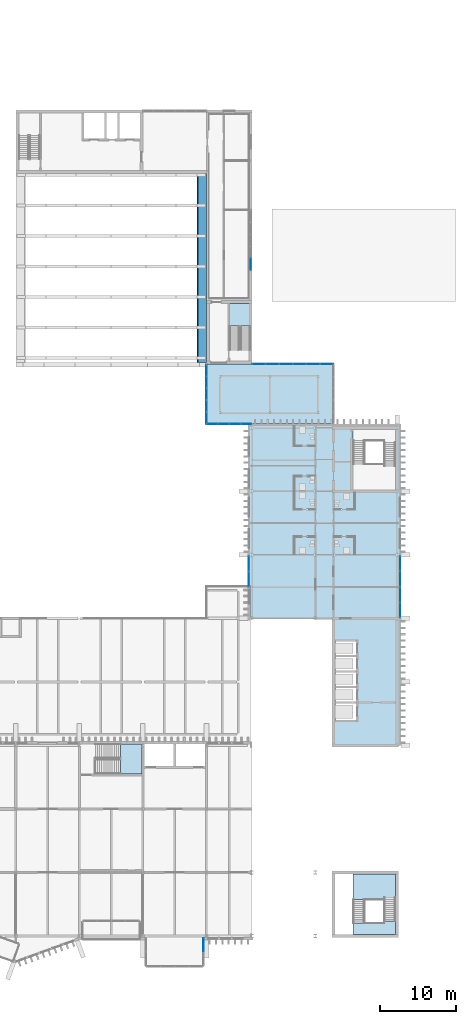
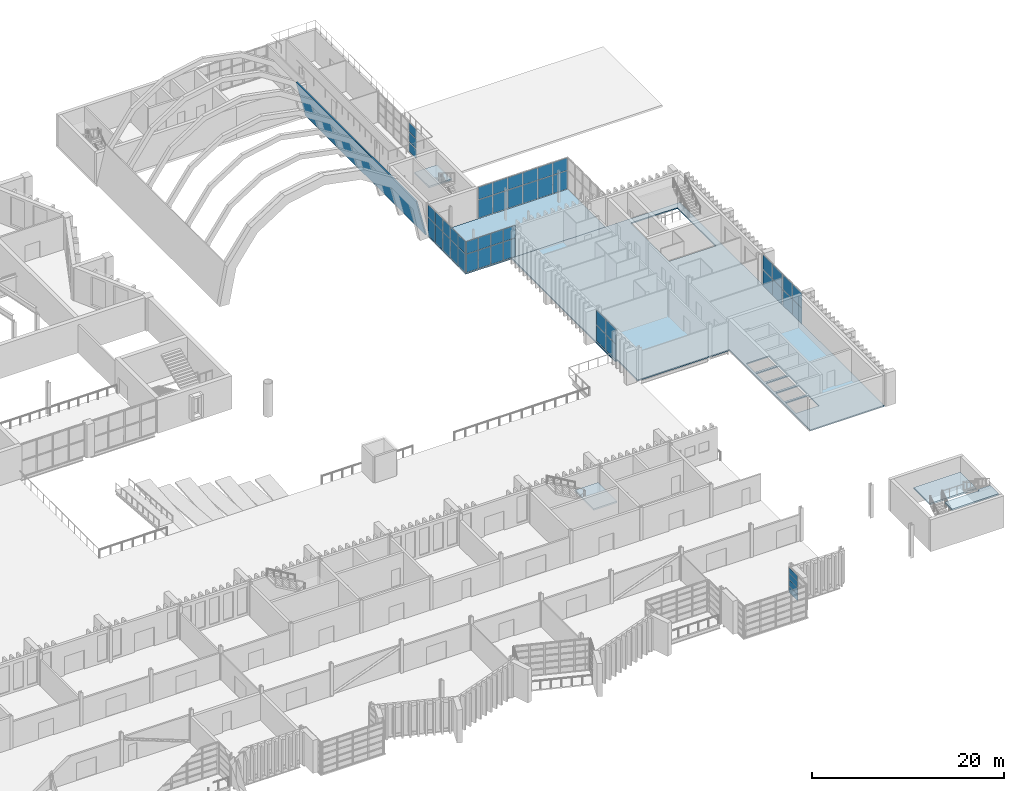
# One storey, part 54 of 96: 49 plates, 7 slabs, 11 elements without a shape of their own.
"""IFC4 building model written with IfcOpenShell, lengths in metres."""

import ifcopenshell
import ifcopenshell.guid

model = None  # the IFC model being written
_history = None  # IfcOwnerHistory: only IFC2X3 demands one
_inside = {}  # id of a spatial element -> (the spatial element, [elements in it])
_under = {}  # id of a project, library or spatial element -> (it, [spatial elements below it])
_declared = {}  # id of a project -> (the project, [libraries it declares])
_typed = {}  # id of a type object -> (the type object, [elements of that type])
_made_of = {}  # id of a material, layer set ... -> (it, [elements and type objects made of it])


def new_model(schema):
    """Start an empty IFC model of exactly this schema.

    Asked for "IFC4X3", IfcOpenShell would pick the latest addendum, in which some entities
    have other attributes; the version numbers below select the first issue.
    IFC2X3 requires an IfcOwnerHistory on every rooted entity: one is made here for all.
    """
    global model, _history
    if schema == "IFC4X3":
        model = ifcopenshell.file(schema_version=(4, 3, 0, 0))
    else:
        model = ifcopenshell.file(schema=schema)
    _inside.clear()
    _under.clear()
    _declared.clear()
    _typed.clear()
    _made_of.clear()
    _history = None
    if model.schema == "IFC2X3":
        org = make("IfcOrganization", Name="unknown")
        user = make(
            "IfcPersonAndOrganization",
            ThePerson=make("IfcPerson", FamilyName="unknown"),
            TheOrganization=org,
        )
        app = make(
            "IfcApplication",
            ApplicationDeveloper=org,
            Version="unknown",
            ApplicationFullName="unknown",
            ApplicationIdentifier="unknown",
        )
        _history = make(
            "IfcOwnerHistory",
            OwningUser=user,
            OwningApplication=app,
            ChangeAction="ADDED",
            CreationDate=0,
        )
    return model


def make(cls, **values):
    """One entity of the class cls with the attributes given. An attribute that is None is left unset."""
    return model.create_entity(
        cls, **{name: value for name, value in values.items() if value is not None}
    )


def rooted(cls, **values):
    """An entity with a GlobalId (a new one), such as an element, a storey or a relation."""
    return make(cls, GlobalId=ifcopenshell.guid.new(), OwnerHistory=_history, **values)


def si_unit(unit_type, name, prefix=None):
    """IfcSIUnit, for example si_unit("LENGTHUNIT", "METRE", prefix="MILLI")."""
    return make("IfcSIUnit", UnitType=unit_type, Prefix=prefix, Name=name)


def assignment(units):
    """IfcUnitAssignment: the units of a project."""
    return None if units is None else make("IfcUnitAssignment", Units=units)


def point(xyz):
    """IfcCartesianPoint."""
    return None if xyz is None else make("IfcCartesianPoint", Coordinates=xyz)


def direction(xyz):
    """IfcDirection."""
    return None if xyz is None else make("IfcDirection", DirectionRatios=xyz)


def frame(location, z_axis=None, x_axis=None):
    """IfcAxis2Placement3D, a coordinate frame: its origin and axes. An axis left out is left unset."""
    return make(
        "IfcAxis2Placement3D",
        Location=point(location),
        Axis=direction(z_axis),
        RefDirection=direction(x_axis),
    )


def frame_2d(location, x_axis=None):
    """IfcAxis2Placement2D, a coordinate frame in the plane: its origin and x axis."""
    return make(
        "IfcAxis2Placement2D", Location=point(location), RefDirection=direction(x_axis)
    )


def origin():
    """The frame at (0, 0, 0) with its axes left unset."""
    return frame((0.0, 0.0, 0.0))


def origin_2d():
    """The frame at (0, 0) in the plane with its x axis left unset."""
    return frame_2d((0.0, 0.0))


def place(relative_to, where):
    """IfcLocalPlacement: puts the frame where relative to a parent placement (None: the world)."""
    return make(
        "IfcLocalPlacement", PlacementRelTo=relative_to, RelativePlacement=where
    )


def context(
    kind, dimensions, precision=None, world=None, true_north=None, identifier=None
):
    """IfcGeometricRepresentationContext, for example the 3D "Model" context."""
    return make(
        "IfcGeometricRepresentationContext",
        ContextIdentifier=identifier,
        ContextType=kind,
        CoordinateSpaceDimension=dimensions,
        Precision=precision,
        WorldCoordinateSystem=world,
        TrueNorth=true_north,
    )


def subcontext(parent, identifier, kind, view, scale=None):
    """IfcGeometricRepresentationSubContext, for example "Body" below "Model"."""
    return make(
        "IfcGeometricRepresentationSubContext",
        ContextIdentifier=identifier,
        ContextType=kind,
        ParentContext=parent,
        TargetScale=scale,
        TargetView=view,
    )


def project(units=None, contexts=None):
    """IfcProject with its units and contexts."""
    return rooted(
        "IfcProject",
        Name="project",
        RepresentationContexts=contexts,
        UnitsInContext=assignment(units),
    )


def spatial(cls, under=None, at=None, **own):
    """A site, building, storey or space (cls), placed at a placement, below another one or the project."""
    s = rooted(cls, ObjectPlacement=at, **own)
    if under is not None:
        _under.setdefault(under.id(), (under, []))[1].append(s)
    return s


def polyline(points):
    """IfcPolyline through the points."""
    return make("IfcPolyline", Points=[point(p) for p in points])


def profile(cls, at=None, kind="AREA", **sizes):
    """A parametric profile (cls). Its sizes go by their IFC names, for example OverallWidth=200.0."""
    return make(cls, ProfileType=kind, Position=at, **sizes)


def rectangle(**sizes):
    """IfcRectangleProfileDef."""
    return profile("IfcRectangleProfileDef", **sizes)


def outline(outer, holes=None, kind="AREA"):
    """IfcArbitraryClosedProfileDef: a profile drawn as a closed curve; with holes, ...WithVoids."""
    if holes is None:
        return make("IfcArbitraryClosedProfileDef", ProfileType=kind, OuterCurve=outer)
    return make(
        "IfcArbitraryProfileDefWithVoids",
        ProfileType=kind,
        OuterCurve=outer,
        InnerCurves=holes,
    )


def extrude(swept, where, along, depth):
    """IfcExtrudedAreaSolid: the profile swept, set in the frame where, extruded along a direction by depth."""
    return make(
        "IfcExtrudedAreaSolid",
        SweptArea=swept,
        Position=where,
        ExtrudedDirection=direction(along),
        Depth=depth,
    )


def shape(context_of_items, identifier, shape_type, items):
    """IfcShapeRepresentation: the items that make up one representation, for example the "Body"."""
    return make(
        "IfcShapeRepresentation",
        ContextOfItems=context_of_items,
        RepresentationIdentifier=identifier,
        RepresentationType=shape_type,
        Items=items,
    )


def material(Name=None, Category=None):
    """IfcMaterial."""
    return make("IfcMaterial", Name=Name, Category=Category)


def layer(
    of_material, thickness, ventilated=None, Name=None, Category=None, Priority=None
):
    """IfcMaterialLayer: one layer of a wall or slab, of a material (None: an air gap)."""
    return make(
        "IfcMaterialLayer",
        Material=of_material,
        LayerThickness=thickness,
        IsVentilated=ventilated,
        Name=Name,
        Category=Category,
        Priority=Priority,
    )


def layer_set(layers, Name=None):
    """IfcMaterialLayerSet."""
    return make("IfcMaterialLayerSet", MaterialLayers=layers, LayerSetName=Name)


def made_of(thing, what):
    """Note that an element or type object is made of a material, layer set ...; save() writes the relation."""
    if what is not None:
        _made_of.setdefault(what.id(), (what, []))[1].append(thing)
    return thing


def type_object(cls, material=None, **own):
    """A type object (cls), such as IfcWallType, which elements share."""
    return made_of(rooted(cls, **own), material)


def element(
    cls,
    number,
    at=None,
    inside=None,
    cuts=None,
    type_object=None,
    material=None,
    context=None,
    identifier="Body",
    shape_type=None,
    held_by="IfcProductDefinitionShape",
    body=None,
    shapes=None,
    **own,
):
    """One element of the class cls, such as IfcWall. Its Tag is "e" and its number.

    at: its placement. inside: the storey or other place that contains it. cuts: it is an
    opening in that element (IfcRelVoidsElement). A single representation is given by context,
    identifier, shape_type and body (its items); several are given by shapes. held_by: the class
    of the entity that holds the representations. save() writes the other relations.
    """
    e = rooted(cls, Tag="e%d" % number, ObjectPlacement=at, **own)
    if body is not None:
        shapes = [shape(context, identifier, shape_type, body)]
    if shapes is not None:
        e.Representation = make(held_by, Representations=shapes)
    if inside is not None:
        _inside.setdefault(inside.id(), (inside, []))[1].append(e)
    if cuts is not None:
        rooted(
            "IfcRelVoidsElement", RelatingBuildingElement=cuts, RelatedOpeningElement=e
        )
    if type_object is not None:
        _typed.setdefault(type_object.id(), (type_object, []))[1].append(e)
    return made_of(e, material)


def aggregate(whole, parts):
    """IfcRelAggregates: a whole, such as a stair, and the parts it consists of."""
    return rooted("IfcRelAggregates", RelatingObject=whole, RelatedObjects=parts)


def save(model, path):
    """Write the relations noted so far, then the file.

    IfcRelAggregates (storeys below a building ...), IfcRelContainedInSpatialStructure (elements
    in a storey), IfcRelDefinesByType, IfcRelAssociatesMaterial and IfcRelDeclares: one each for
    every whole, place, type object, material and project.
    """
    for whole, parts in _under.values():
        aggregate(whole, parts)
    for where, things in _inside.values():
        rooted(
            "IfcRelContainedInSpatialStructure",
            RelatedElements=things,
            RelatingStructure=where,
        )
    for kind, things in _typed.values():
        rooted("IfcRelDefinesByType", RelatedObjects=things, RelatingType=kind)
    for what, things in _made_of.values():
        rooted("IfcRelAssociatesMaterial", RelatedObjects=things, RelatingMaterial=what)
    for by, libraries in _declared.values():
        rooted("IfcRelDeclares", RelatingContext=by, RelatedDefinitions=libraries)
    model.write(path)


model = new_model("IFC4")

# Units and contexts
model_context = context("Model", 3, precision=1e-05, world=origin(), true_north=direction((0.0, 1.0)))
body_context = subcontext(model_context, "Body", "Model", "MODEL_VIEW")
ifc_project = project(units=[si_unit("LENGTHUNIT", "METRE"), si_unit("AREAUNIT", "SQUARE_METRE"), si_unit("VOLUMEUNIT", "CUBIC_METRE"), si_unit("PLANEANGLEUNIT", "RADIAN"), si_unit("MASSUNIT", "GRAM", prefix="KILO")], contexts=[model_context])

# Site, building, storey
site_placement = place(None, origin())
site = spatial("IfcSite", under=ifc_project, at=site_placement, CompositionType="ELEMENT")
building_placement = place(site_placement, origin())
building = spatial("IfcBuilding", under=site, at=building_placement, Name="Cresset Court Congress Hotel", CompositionType="ELEMENT")
storey_placement = place(building_placement, frame((0.0, 0.0, 6.0)))
storey = spatial("IfcBuildingStorey", under=building, at=storey_placement, Name="L01", CompositionType="ELEMENT", Elevation=6.0)

# Curtain wall, plates
ifc_material_1 = material(Name="Aluminium frame with double glazing", Category="aluminium")
ifc_layer_1 = layer(ifc_material_1, 0.199951171875)
ifc_layer_set_1 = layer_set([ifc_layer_1], Name="Glazed box curtain wall 1680 module")
curtain_wall_type_1 = type_object("IfcCurtainWallType", Name="Glazed box curtain wall 1680 module", PredefinedType="NOTDEFINED", material=ifc_layer_set_1)
curtain_wall_1_placement = place(storey_placement, origin())
curtain_wall_1 = element("IfcCurtainWall", 1, at=curtain_wall_1_placement, inside=storey, type_object=curtain_wall_type_1, Name="Glazed box S0121 side", PredefinedType="NOTDEFINED")
ifc_material_2 = material(Name="Toughened double glazing", Category="glass")
ifc_layer_2 = layer(ifc_material_2, 0.028076171875)
ifc_layer_set_2 = layer_set([ifc_layer_2], Name="Box glass panel 28")
plate_type_1 = type_object("IfcPlateType", Name="Box glass panel 28", PredefinedType="CURTAIN_PANEL", material=ifc_layer_set_2)
plate_1_placement = place(storey_placement, frame((150.800048828125, -1.139892578125, 0.860107421875), z_axis=(0.0, 0.0, 1.0), x_axis=(0.0, -1.0, 0.0)))
plate_1 = element("IfcPlate", 2, at=plate_1_placement, type_object=plate_type_1, Name="B-X1 panel 1.2", PredefinedType="CURTAIN_PANEL", context=body_context, shape_type="SweptSolid", body=[
    extrude(rectangle(XDim=1.760009765625, YDim=0.028076171875, at=origin_2d()), origin(), (0.0, 0.0, 1.0), 0.77001953125),
])
plate_2_placement = place(storey_placement, frame((150.800048828125, -1.139892578125, 1.68994140625), z_axis=(0.0, 0.0, 1.0), x_axis=(0.0, -1.0, 0.0)))
plate_2 = element("IfcPlate", 3, at=plate_2_placement, type_object=plate_type_1, Name="B-X1 panel 1.3", PredefinedType="CURTAIN_PANEL", context=body_context, shape_type="SweptSolid", body=[
    extrude(rectangle(XDim=1.760009765625, YDim=0.028076171875, at=origin_2d()), origin(), (0.0, 0.0, 1.0), 0.77001953125),
])
plate_3_placement = place(storey_placement, frame((150.800048828125, -1.139892578125, 2.52001953125), z_axis=(0.0, 0.0, 1.0), x_axis=(0.0, -1.0, 0.0)))
plate_3 = element("IfcPlate", 4, at=plate_3_placement, type_object=plate_type_1, Name="B-X1 panel 1.4", PredefinedType="CURTAIN_PANEL", context=body_context, shape_type="SweptSolid", body=[
    extrude(rectangle(XDim=1.760009765625, YDim=0.028076171875, at=origin_2d()), origin(), (0.0, 0.0, 1.0), 0.77001953125),
])
ifc_material_3 = material(Name="Insulated aluminium spandrel panel", Category="aluminium")
ifc_layer_3 = layer(ifc_material_3, 0.0400390625)
ifc_layer_set_3 = layer_set([ifc_layer_3], Name="Box spandrel panel 40")
plate_type_2 = type_object("IfcPlateType", Name="Box spandrel panel 40", PredefinedType="CURTAIN_PANEL", material=ifc_layer_set_3)
plate_4_placement = place(storey_placement, frame((150.800048828125, -1.139892578125, 3.35009765625), z_axis=(0.0, 0.0, 1.0), x_axis=(0.0, -1.0, 0.0)))
plate_4 = element("IfcPlate", 5, at=plate_4_placement, type_object=plate_type_2, Name="B-X1 spandrel panel 1.5", PredefinedType="CURTAIN_PANEL", context=body_context, shape_type="SweptSolid", body=[
    extrude(rectangle(XDim=1.760009765625, YDim=0.0400390625, at=origin_2d()), origin(), (0.0, 0.0, 1.0), 0.639892578125),
])
aggregate(curtain_wall_1, [plate_1, plate_2, plate_3, plate_4])

# Slabs
ifc_material_4 = material(Name="Concrete C35", Category="concrete")
ifc_layer_4 = layer(ifc_material_4, 0.14990234375)
ifc_layer_set_4 = layer_set([ifc_layer_4], Name="Composite floor slab 150")
slab_type_1 = type_object("IfcSlabType", Name="Composite floor slab 150", PredefinedType="FLOOR", material=ifc_layer_set_4)
slab_1_placement = place(storey_placement, frame((0.0, 0.0, -0.14990234375)))
element("IfcSlab", 6, at=slab_1_placement, inside=storey, type_object=slab_type_1, Name="A.slab.L01", PredefinedType="FLOOR", context=body_context, shape_type="SweptSolid", body=[
    extrude(outline(polyline([(157.0, 42.0), (168.0, 42.0), (168.0, 25.199951171875), (176.89990234375, 25.199951171875), (176.89990234375, 67.699951171875), (156.699951171875, 67.699951171875), (156.699951171875, 46.199951171875), (157.0, 46.199951171875), (157.0, 42.0)]), holes=[polyline([(170.60009765625, 59.0), (176.199951171875, 59.0), (176.199951171875, 67.0), (170.60009765625, 67.0), (170.60009765625, 59.0)]), polyline([(168.25, 28.550048828125), (171.0, 28.550048828125), (171.0, 30.75), (168.25, 30.75), (168.25, 28.550048828125)]), polyline([(168.25, 31.0), (171.0, 31.0), (171.0, 32.800048828125), (168.25, 32.800048828125), (168.25, 31.0)]), polyline([(168.25, 33.050048828125), (171.0, 33.050048828125), (171.0, 34.85009765625), (168.25, 34.85009765625), (168.25, 33.050048828125)]), polyline([(168.25, 35.10009765625), (171.0, 35.10009765625), (171.0, 36.89990234375), (168.25, 36.89990234375), (168.25, 35.10009765625)]), polyline([(168.25, 37.14990234375), (171.0, 37.14990234375), (171.0, 38.949951171875), (168.25, 38.949951171875), (168.25, 37.14990234375)])]), origin(), (0.0, 0.0, 1.0), 0.14990234375),
])
ifc_material_5 = material(Name="Concrete C50", Category="concrete")
ifc_layer_5 = layer(ifc_material_5, 0.14990234375)
ifc_layer_set_5 = layer_set([ifc_layer_5], Name="Concrete vault shell 150 C50")
slab_type_2 = type_object("IfcSlabType", Name="Concrete vault shell 150 C50", PredefinedType="ROOF", material=ifc_layer_set_5)
slab_2_placement = place(storey_placement, frame((150.0703125, 75.800048828125, 4.635498046875), z_axis=(0.971567151534, 0.0, 0.236764165489), x_axis=(0.236764165489, 0.0, -0.971567151534)))
element("IfcSlab", 7, at=slab_2_placement, inside=storey, type_object=slab_type_2, Name="Vault shell facet 8", PredefinedType="ROOF", context=body_context, shape_type="SweptSolid", body=[
    extrude(outline(polyline([(0.0, 0.0), (4.771155590795321, 0.0), (4.771155590795321, 25.0), (0.0, 25.0), (0.0, 0.0)])), origin(), (0.0, 0.0, -1.0), 0.14990234375),
])

# Curtain wall, plates
ifc_material_6 = material(Name="Aluminium frame with insulated glass", Category="aluminium")
curtain_wall_type_2 = type_object("IfcCurtainWallType", Name="Curtain wall module 1600", PredefinedType="NOTDEFINED", material=ifc_material_6)
curtain_wall_2_placement = place(storey_placement, origin())
curtain_wall_2 = element("IfcCurtainWall", 8, at=curtain_wall_2_placement, inside=storey, type_object=curtain_wall_type_2, Name="Curtain wall E", PredefinedType="NOTDEFINED")
ifc_material_7 = material(Name="Laminated glass", Category="glass")
ifc_layer_6 = layer(ifc_material_7, 0.028076171875)
ifc_layer_set_6 = layer_set([ifc_layer_6], Name="Curtain wall glass panel 28")
plate_type_3 = type_object("IfcPlateType", Name="Curtain wall glass panel 28", PredefinedType="CURTAIN_PANEL", material=ifc_layer_set_6)
plate_5_placement = place(storey_placement, frame((157.050048828125, 88.81494140625, 0.1201171875), z_axis=(0.0, 0.0, 1.0), x_axis=(0.0, 1.0, 0.0)))
plate_5 = element("IfcPlate", 9, at=plate_5_placement, type_object=plate_type_3, Name="D-X3 panel 1.1", PredefinedType="CURTAIN_PANEL", context=body_context, shape_type="SweptSolid", body=[
    extrude(rectangle(XDim=1.510009765625, YDim=0.028076171875, at=origin_2d()), origin(), (0.0, 0.0, 1.0), 1.153076171875),
])
plate_6_placement = place(storey_placement, frame((157.050048828125, 88.81494140625, 1.39306640625), z_axis=(0.0, 0.0, 1.0), x_axis=(0.0, 1.0, 0.0)))
plate_6 = element("IfcPlate", 10, at=plate_6_placement, type_object=plate_type_3, Name="D-X3 panel 1.2", PredefinedType="CURTAIN_PANEL", context=body_context, shape_type="SweptSolid", body=[
    extrude(rectangle(XDim=1.510009765625, YDim=0.028076171875, at=origin_2d()), origin(), (0.0, 0.0, 1.0), 1.173095703125),
])
plate_7_placement = place(storey_placement, frame((157.050048828125, 88.81494140625, 2.68603515625), z_axis=(0.0, 0.0, 1.0), x_axis=(0.0, 1.0, 0.0)))
plate_7 = element("IfcPlate", 11, at=plate_7_placement, type_object=plate_type_3, Name="D-X3 panel 1.3", PredefinedType="CURTAIN_PANEL", context=body_context, shape_type="SweptSolid", body=[
    extrude(rectangle(XDim=1.510009765625, YDim=0.028076171875, at=origin_2d()), origin(), (0.0, 0.0, 1.0), 1.114013671875),
])
aggregate(curtain_wall_2, [plate_5, plate_6, plate_7])

ifc_material_8 = material(Name="Aluminium and glass", Category="aluminium")
curtain_wall_type_3 = type_object("IfcCurtainWallType", Name="Curtain wall 1680 module", PredefinedType="NOTDEFINED", material=ifc_material_8)
curtain_wall_3_placement = place(storey_placement, origin())
curtain_wall_3 = element("IfcCurtainWall", 12, at=curtain_wall_3_placement, inside=storey, type_object=curtain_wall_type_3, Name="Lounge glazing west", PredefinedType="NOTDEFINED")
ifc_material_9 = material(Name="Laminated glass", Category="glass")
ifc_layer_7 = layer(ifc_material_9, 0.0439453125)
ifc_layer_set_7 = layer_set([ifc_layer_7], Name="Curtain wall laminated glass panel 44")
plate_type_4 = type_object("IfcPlateType", Name="Curtain wall laminated glass panel 44", PredefinedType="CURTAIN_PANEL", material=ifc_layer_set_7)
plate_8_placement = place(storey_placement, frame((156.800048828125, 47.1650390625, 0.06005859375), z_axis=(0.0, 0.0, 1.0), x_axis=(0.0, 1.0, 0.0)))
plate_8 = element("IfcPlate", 13, at=plate_8_placement, type_object=plate_type_4, Name="A-X1 panel 1.1", PredefinedType="CURTAIN_PANEL", context=body_context, shape_type="SweptSolid", body=[
    extrude(rectangle(XDim=2.010009765625, YDim=0.028076171875, at=origin_2d()), origin(), (0.0, 0.0, 1.0), 2.010009765625),
])
plate_9_placement = place(storey_placement, frame((156.800048828125, 47.1650390625, 2.1298828125), z_axis=(0.0, 0.0, 1.0), x_axis=(0.0, 1.0, 0.0)))
plate_9 = element("IfcPlate", 14, at=plate_9_placement, type_object=plate_type_4, Name="A-X1 panel 1.2", PredefinedType="CURTAIN_PANEL", context=body_context, shape_type="SweptSolid", body=[
    extrude(rectangle(XDim=2.010009765625, YDim=0.028076171875, at=origin_2d()), origin(), (0.0, 0.0, 1.0), 1.860107421875),
])
plate_10_placement = place(storey_placement, frame((156.800048828125, 49.235107421875, 0.06005859375), z_axis=(0.0, 0.0, 1.0), x_axis=(0.0, 1.0, 0.0)))
plate_10 = element("IfcPlate", 15, at=plate_10_placement, type_object=plate_type_4, Name="A-X1 panel 2.1", PredefinedType="CURTAIN_PANEL", context=body_context, shape_type="SweptSolid", body=[
    extrude(rectangle(XDim=2.010009765625, YDim=0.028076171875, at=origin_2d()), origin(), (0.0, 0.0, 1.0), 2.010009765625),
])
plate_11_placement = place(storey_placement, frame((156.800048828125, 49.235107421875, 2.1298828125), z_axis=(0.0, 0.0, 1.0), x_axis=(0.0, 1.0, 0.0)))
plate_11 = element("IfcPlate", 16, at=plate_11_placement, type_object=plate_type_4, Name="A-X1 panel 2.2", PredefinedType="CURTAIN_PANEL", context=body_context, shape_type="SweptSolid", body=[
    extrude(rectangle(XDim=2.010009765625, YDim=0.028076171875, at=origin_2d()), origin(), (0.0, 0.0, 1.0), 1.860107421875),
])
aggregate(curtain_wall_3, [plate_8, plate_9, plate_10, plate_11])

curtain_wall_4_placement = place(storey_placement, origin())
curtain_wall_4 = element("IfcCurtainWall", 17, at=curtain_wall_4_placement, inside=storey, type_object=curtain_wall_type_3, Name="Arrival lobby glazing east", PredefinedType="NOTDEFINED")
plate_12_placement = place(storey_placement, frame((176.800048828125, 43.114990234375, 0.06005859375), z_axis=(0.0, 0.0, 1.0), x_axis=(0.0, 1.0, 0.0)))
plate_12 = element("IfcPlate", 18, at=plate_12_placement, type_object=plate_type_4, Name="A-X1 panel 1.1", PredefinedType="CURTAIN_PANEL", context=body_context, shape_type="SweptSolid", body=[
    extrude(rectangle(XDim=1.909912109375, YDim=0.028076171875, at=origin_2d()), origin(), (0.0, 0.0, 1.0), 2.010009765625),
])
plate_13_placement = place(storey_placement, frame((176.800048828125, 43.114990234375, 2.1298828125), z_axis=(0.0, 0.0, 1.0), x_axis=(0.0, 1.0, 0.0)))
plate_13 = element("IfcPlate", 19, at=plate_13_placement, type_object=plate_type_4, Name="A-X1 panel 1.2", PredefinedType="CURTAIN_PANEL", context=body_context, shape_type="SweptSolid", body=[
    extrude(rectangle(XDim=1.909912109375, YDim=0.028076171875, at=origin_2d()), origin(), (0.0, 0.0, 1.0), 1.860107421875),
])
plate_14_placement = place(storey_placement, frame((176.800048828125, 45.0849609375, 0.06005859375), z_axis=(0.0, 0.0, 1.0), x_axis=(0.0, 1.0, 0.0)))
plate_14 = element("IfcPlate", 20, at=plate_14_placement, type_object=plate_type_4, Name="A-X1 panel 2.1", PredefinedType="CURTAIN_PANEL", context=body_context, shape_type="SweptSolid", body=[
    extrude(rectangle(XDim=1.909912109375, YDim=0.028076171875, at=origin_2d()), origin(), (0.0, 0.0, 1.0), 2.010009765625),
])
plate_15_placement = place(storey_placement, frame((176.800048828125, 45.0849609375, 2.1298828125), z_axis=(0.0, 0.0, 1.0), x_axis=(0.0, 1.0, 0.0)))
plate_15 = element("IfcPlate", 21, at=plate_15_placement, type_object=plate_type_4, Name="A-X1 panel 2.2", PredefinedType="CURTAIN_PANEL", context=body_context, shape_type="SweptSolid", body=[
    extrude(rectangle(XDim=1.909912109375, YDim=0.028076171875, at=origin_2d()), origin(), (0.0, 0.0, 1.0), 1.860107421875),
])
aggregate(curtain_wall_4, [plate_12, plate_13, plate_14, plate_15])

curtain_wall_5_placement = place(storey_placement, origin())
curtain_wall_5 = element("IfcCurtainWall", 22, at=curtain_wall_5_placement, inside=storey, type_object=curtain_wall_type_3, Name="Health club glazing east", PredefinedType="NOTDEFINED")
plate_16_placement = place(storey_placement, frame((176.800048828125, 47.239990234375, 0.06005859375), z_axis=(0.0, 0.0, 1.0), x_axis=(0.0, 1.0, 0.0)))
plate_16 = element("IfcPlate", 23, at=plate_16_placement, type_object=plate_type_4, Name="A-X1 panel 1.1", PredefinedType="CURTAIN_PANEL", context=body_context, shape_type="SweptSolid", body=[
    extrude(rectangle(XDim=1.9599609375, YDim=0.028076171875, at=origin_2d()), origin(), (0.0, 0.0, 1.0), 2.010009765625),
])
plate_17_placement = place(storey_placement, frame((176.800048828125, 47.239990234375, 2.1298828125), z_axis=(0.0, 0.0, 1.0), x_axis=(0.0, 1.0, 0.0)))
plate_17 = element("IfcPlate", 24, at=plate_17_placement, type_object=plate_type_4, Name="A-X1 panel 1.2", PredefinedType="CURTAIN_PANEL", context=body_context, shape_type="SweptSolid", body=[
    extrude(rectangle(XDim=1.9599609375, YDim=0.028076171875, at=origin_2d()), origin(), (0.0, 0.0, 1.0), 1.860107421875),
])
plate_18_placement = place(storey_placement, frame((176.800048828125, 49.260009765625, 0.06005859375), z_axis=(0.0, 0.0, 1.0), x_axis=(0.0, 1.0, 0.0)))
plate_18 = element("IfcPlate", 25, at=plate_18_placement, type_object=plate_type_4, Name="A-X1 panel 2.1", PredefinedType="CURTAIN_PANEL", context=body_context, shape_type="SweptSolid", body=[
    extrude(rectangle(XDim=1.9599609375, YDim=0.028076171875, at=origin_2d()), origin(), (0.0, 0.0, 1.0), 2.010009765625),
])
plate_19_placement = place(storey_placement, frame((176.800048828125, 49.260009765625, 2.1298828125), z_axis=(0.0, 0.0, 1.0), x_axis=(0.0, 1.0, 0.0)))
plate_19 = element("IfcPlate", 26, at=plate_19_placement, type_object=plate_type_4, Name="A-X1 panel 2.2", PredefinedType="CURTAIN_PANEL", context=body_context, shape_type="SweptSolid", body=[
    extrude(rectangle(XDim=1.9599609375, YDim=0.028076171875, at=origin_2d()), origin(), (0.0, 0.0, 1.0), 1.860107421875),
])
aggregate(curtain_wall_5, [plate_16, plate_17, plate_18, plate_19])

# Slab
ifc_material_10 = material(Name="Concrete C35", Category="concrete")
ifc_layer_8 = layer(ifc_material_10, 0.14990234375)
ifc_layer_set_8 = layer_set([ifc_layer_8], Name="Link floor slab 150")
slab_type_3 = type_object("IfcSlabType", Name="Link floor slab 150", PredefinedType="FLOOR", material=ifc_layer_set_8)
slab_3_placement = place(storey_placement, frame((0.0, 0.0, -0.14990234375)))
element("IfcSlab", 27, at=slab_3_placement, inside=storey, type_object=slab_type_3, Name="S.link.L01.slab", PredefinedType="FLOOR", context=body_context, shape_type="SweptSolid", body=[
    extrude(outline(polyline([(151.199951171875, 67.699951171875), (168.0, 67.699951171875), (168.0, 75.60009765625), (151.199951171875, 75.60009765625), (151.199951171875, 67.699951171875)])), origin(), (0.0, 0.0, 1.0), 0.14990234375),
])

# Curtain wall, plates
ifc_material_11 = material(Name="Aluminium and glass", Category="aluminium")
ifc_layer_9 = layer(ifc_material_11, 0.199951171875)
ifc_layer_set_9 = layer_set([ifc_layer_9], Name="Link curtain wall")
curtain_wall_type_4 = type_object("IfcCurtainWallType", Name="Link curtain wall", PredefinedType="NOTDEFINED", material=ifc_layer_set_9)
curtain_wall_6_placement = place(storey_placement, origin())
curtain_wall_6 = element("IfcCurtainWall", 28, at=curtain_wall_6_placement, inside=storey, type_object=curtain_wall_type_4, Name="Link curtain wall W", PredefinedType="NOTDEFINED")
ifc_material_12 = material(Name="Laminated glass", Category="glass")
ifc_layer_10 = layer(ifc_material_12, 0.028076171875)
ifc_layer_set_10 = layer_set([ifc_layer_10], Name="Link glass panel 28")
plate_type_5 = type_object("IfcPlateType", Name="Link glass panel 28", PredefinedType="CURTAIN_PANEL", material=ifc_layer_set_10)
plate_20_placement = place(storey_placement, frame((151.199951171875, 68.5048828125, 0.06005859375), z_axis=(0.0, 0.0, 1.0), x_axis=(0.0, 1.0, 0.0)))
plate_20 = element("IfcPlate", 29, at=plate_20_placement, type_object=plate_type_5, Name="S-X1 panel 1.1", PredefinedType="CURTAIN_PANEL", context=body_context, shape_type="SweptSolid", body=[
    extrude(rectangle(XDim=1.489990234375, YDim=0.028076171875, at=origin_2d()), origin(), (0.0, 0.0, 1.0), 2.31005859375),
])
plate_21_placement = place(storey_placement, frame((151.199951171875, 68.5048828125, 2.429931640625), z_axis=(0.0, 0.0, 1.0), x_axis=(0.0, 1.0, 0.0)))
plate_21 = element("IfcPlate", 30, at=plate_21_placement, type_object=plate_type_5, Name="S-X1 panel 1.2", PredefinedType="CURTAIN_PANEL", context=body_context, shape_type="SweptSolid", body=[
    extrude(rectangle(XDim=1.489990234375, YDim=0.028076171875, at=origin_2d()), origin(), (0.0, 0.0, 1.0), 1.56005859375),
])
plate_22_placement = place(storey_placement, frame((151.199951171875, 70.070068359375, 0.06005859375), z_axis=(0.0, 0.0, 1.0), x_axis=(0.0, 1.0, 0.0)))
plate_22 = element("IfcPlate", 31, at=plate_22_placement, type_object=plate_type_5, Name="S-X1 panel 2.1", PredefinedType="CURTAIN_PANEL", context=body_context, shape_type="SweptSolid", body=[
    extrude(rectangle(XDim=1.52001953125, YDim=0.028076171875, at=origin_2d()), origin(), (0.0, 0.0, 1.0), 2.31005859375),
])
plate_23_placement = place(storey_placement, frame((151.199951171875, 70.070068359375, 2.429931640625), z_axis=(0.0, 0.0, 1.0), x_axis=(0.0, 1.0, 0.0)))
plate_23 = element("IfcPlate", 32, at=plate_23_placement, type_object=plate_type_5, Name="S-X1 panel 2.2", PredefinedType="CURTAIN_PANEL", context=body_context, shape_type="SweptSolid", body=[
    extrude(rectangle(XDim=1.52001953125, YDim=0.028076171875, at=origin_2d()), origin(), (0.0, 0.0, 1.0), 1.56005859375),
])
plate_24_placement = place(storey_placement, frame((151.199951171875, 71.64990234375, 0.06005859375), z_axis=(0.0, 0.0, 1.0), x_axis=(0.0, 1.0, 0.0)))
plate_24 = element("IfcPlate", 33, at=plate_24_placement, type_object=plate_type_5, Name="S-X1 panel 3.1", PredefinedType="CURTAIN_PANEL", context=body_context, shape_type="SweptSolid", body=[
    extrude(rectangle(XDim=1.52001953125, YDim=0.028076171875, at=origin_2d()), origin(), (0.0, 0.0, 1.0), 2.31005859375),
])
plate_25_placement = place(storey_placement, frame((151.199951171875, 71.64990234375, 2.429931640625), z_axis=(0.0, 0.0, 1.0), x_axis=(0.0, 1.0, 0.0)))
plate_25 = element("IfcPlate", 34, at=plate_25_placement, type_object=plate_type_5, Name="S-X1 panel 3.2", PredefinedType="CURTAIN_PANEL", context=body_context, shape_type="SweptSolid", body=[
    extrude(rectangle(XDim=1.52001953125, YDim=0.028076171875, at=origin_2d()), origin(), (0.0, 0.0, 1.0), 1.56005859375),
])
plate_26_placement = place(storey_placement, frame((151.199951171875, 73.22998046875, 0.06005859375), z_axis=(0.0, 0.0, 1.0), x_axis=(0.0, 1.0, 0.0)))
plate_26 = element("IfcPlate", 35, at=plate_26_placement, type_object=plate_type_5, Name="S-X1 panel 4.1", PredefinedType="CURTAIN_PANEL", context=body_context, shape_type="SweptSolid", body=[
    extrude(rectangle(XDim=1.52001953125, YDim=0.028076171875, at=origin_2d()), origin(), (0.0, 0.0, 1.0), 2.31005859375),
])
plate_27_placement = place(storey_placement, frame((151.199951171875, 73.22998046875, 2.429931640625), z_axis=(0.0, 0.0, 1.0), x_axis=(0.0, 1.0, 0.0)))
plate_27 = element("IfcPlate", 36, at=plate_27_placement, type_object=plate_type_5, Name="S-X1 panel 4.2", PredefinedType="CURTAIN_PANEL", context=body_context, shape_type="SweptSolid", body=[
    extrude(rectangle(XDim=1.52001953125, YDim=0.028076171875, at=origin_2d()), origin(), (0.0, 0.0, 1.0), 1.56005859375),
])
plate_28_placement = place(storey_placement, frame((151.199951171875, 74.794921875, 0.06005859375), z_axis=(0.0, 0.0, 1.0), x_axis=(0.0, 1.0, 0.0)))
plate_28 = element("IfcPlate", 37, at=plate_28_placement, type_object=plate_type_5, Name="S-X1 panel 5.1", PredefinedType="CURTAIN_PANEL", context=body_context, shape_type="SweptSolid", body=[
    extrude(rectangle(XDim=1.489990234375, YDim=0.028076171875, at=origin_2d()), origin(), (0.0, 0.0, 1.0), 2.31005859375),
])
plate_29_placement = place(storey_placement, frame((151.199951171875, 74.794921875, 2.429931640625), z_axis=(0.0, 0.0, 1.0), x_axis=(0.0, 1.0, 0.0)))
plate_29 = element("IfcPlate", 38, at=plate_29_placement, type_object=plate_type_5, Name="S-X1 panel 5.2", PredefinedType="CURTAIN_PANEL", context=body_context, shape_type="SweptSolid", body=[
    extrude(rectangle(XDim=1.489990234375, YDim=0.028076171875, at=origin_2d()), origin(), (0.0, 0.0, 1.0), 1.56005859375),
])
aggregate(curtain_wall_6, [plate_20, plate_21, plate_22, plate_23, plate_24, plate_25, plate_26, plate_27, plate_28, plate_29])

curtain_wall_7_placement = place(storey_placement, origin())
curtain_wall_7 = element("IfcCurtainWall", 39, at=curtain_wall_7_placement, inside=storey, type_object=curtain_wall_type_4, Name="Link curtain wall N", PredefinedType="NOTDEFINED")
plate_30_placement = place(storey_placement, frame((158.114990234375, 75.60009765625, 0.06005859375), z_axis=(0.0, 0.0, 1.0), x_axis=(1.0, 0.0, 0.0)))
plate_30 = element("IfcPlate", 40, at=plate_30_placement, type_object=plate_type_5, Name="S-X1 panel 1.1", PredefinedType="CURTAIN_PANEL", context=body_context, shape_type="SweptSolid", body=[
    extrude(rectangle(XDim=1.7099609375, YDim=0.028076171875, at=origin_2d()), origin(), (0.0, 0.0, 1.0), 2.31005859375),
])
plate_31_placement = place(storey_placement, frame((158.114990234375, 75.60009765625, 2.429931640625), z_axis=(0.0, 0.0, 1.0), x_axis=(1.0, 0.0, 0.0)))
plate_31 = element("IfcPlate", 41, at=plate_31_placement, type_object=plate_type_5, Name="S-X1 panel 1.2", PredefinedType="CURTAIN_PANEL", context=body_context, shape_type="SweptSolid", body=[
    extrude(rectangle(XDim=1.7099609375, YDim=0.028076171875, at=origin_2d()), origin(), (0.0, 0.0, 1.0), 1.56005859375),
])
plate_32_placement = place(storey_placement, frame((159.89990234375, 75.60009765625, 0.06005859375), z_axis=(0.0, 0.0, 1.0), x_axis=(1.0, 0.0, 0.0)))
plate_32 = element("IfcPlate", 42, at=plate_32_placement, type_object=plate_type_5, Name="S-X1 panel 2.1", PredefinedType="CURTAIN_PANEL", context=body_context, shape_type="SweptSolid", body=[
    extrude(rectangle(XDim=1.739990234375, YDim=0.028076171875, at=origin_2d()), origin(), (0.0, 0.0, 1.0), 2.31005859375),
])
plate_33_placement = place(storey_placement, frame((159.89990234375, 75.60009765625, 2.429931640625), z_axis=(0.0, 0.0, 1.0), x_axis=(1.0, 0.0, 0.0)))
plate_33 = element("IfcPlate", 43, at=plate_33_placement, type_object=plate_type_5, Name="S-X1 panel 2.2", PredefinedType="CURTAIN_PANEL", context=body_context, shape_type="SweptSolid", body=[
    extrude(rectangle(XDim=1.739990234375, YDim=0.028076171875, at=origin_2d()), origin(), (0.0, 0.0, 1.0), 1.56005859375),
])
plate_34_placement = place(storey_placement, frame((161.699951171875, 75.60009765625, 0.06005859375), z_axis=(0.0, 0.0, 1.0), x_axis=(1.0, 0.0, 0.0)))
plate_34 = element("IfcPlate", 44, at=plate_34_placement, type_object=plate_type_5, Name="S-X1 panel 3.1", PredefinedType="CURTAIN_PANEL", context=body_context, shape_type="SweptSolid", body=[
    extrude(rectangle(XDim=1.739990234375, YDim=0.028076171875, at=origin_2d()), origin(), (0.0, 0.0, 1.0), 2.31005859375),
])
plate_35_placement = place(storey_placement, frame((161.699951171875, 75.60009765625, 2.429931640625), z_axis=(0.0, 0.0, 1.0), x_axis=(1.0, 0.0, 0.0)))
plate_35 = element("IfcPlate", 45, at=plate_35_placement, type_object=plate_type_5, Name="S-X1 panel 3.2", PredefinedType="CURTAIN_PANEL", context=body_context, shape_type="SweptSolid", body=[
    extrude(rectangle(XDim=1.739990234375, YDim=0.028076171875, at=origin_2d()), origin(), (0.0, 0.0, 1.0), 1.56005859375),
])
plate_36_placement = place(storey_placement, frame((163.5, 75.60009765625, 0.06005859375), z_axis=(0.0, 0.0, 1.0), x_axis=(1.0, 0.0, 0.0)))
plate_36 = element("IfcPlate", 46, at=plate_36_placement, type_object=plate_type_5, Name="S-X1 panel 4.1", PredefinedType="CURTAIN_PANEL", context=body_context, shape_type="SweptSolid", body=[
    extrude(rectangle(XDim=1.739990234375, YDim=0.028076171875, at=origin_2d()), origin(), (0.0, 0.0, 1.0), 2.31005859375),
])
plate_37_placement = place(storey_placement, frame((163.5, 75.60009765625, 2.429931640625), z_axis=(0.0, 0.0, 1.0), x_axis=(1.0, 0.0, 0.0)))
plate_37 = element("IfcPlate", 47, at=plate_37_placement, type_object=plate_type_5, Name="S-X1 panel 4.2", PredefinedType="CURTAIN_PANEL", context=body_context, shape_type="SweptSolid", body=[
    extrude(rectangle(XDim=1.739990234375, YDim=0.028076171875, at=origin_2d()), origin(), (0.0, 0.0, 1.0), 1.56005859375),
])
plate_38_placement = place(storey_placement, frame((165.300048828125, 75.60009765625, 0.06005859375), z_axis=(0.0, 0.0, 1.0), x_axis=(1.0, 0.0, 0.0)))
plate_38 = element("IfcPlate", 48, at=plate_38_placement, type_object=plate_type_5, Name="S-X1 panel 5.1", PredefinedType="CURTAIN_PANEL", context=body_context, shape_type="SweptSolid", body=[
    extrude(rectangle(XDim=1.739990234375, YDim=0.028076171875, at=origin_2d()), origin(), (0.0, 0.0, 1.0), 2.31005859375),
])
plate_39_placement = place(storey_placement, frame((165.300048828125, 75.60009765625, 2.429931640625), z_axis=(0.0, 0.0, 1.0), x_axis=(1.0, 0.0, 0.0)))
plate_39 = element("IfcPlate", 49, at=plate_39_placement, type_object=plate_type_5, Name="S-X1 panel 5.2", PredefinedType="CURTAIN_PANEL", context=body_context, shape_type="SweptSolid", body=[
    extrude(rectangle(XDim=1.739990234375, YDim=0.028076171875, at=origin_2d()), origin(), (0.0, 0.0, 1.0), 1.56005859375),
])
plate_40_placement = place(storey_placement, frame((167.0849609375, 75.60009765625, 0.06005859375), z_axis=(0.0, 0.0, 1.0), x_axis=(1.0, 0.0, 0.0)))
plate_40 = element("IfcPlate", 50, at=plate_40_placement, type_object=plate_type_5, Name="S-X1 panel 6.1", PredefinedType="CURTAIN_PANEL", context=body_context, shape_type="SweptSolid", body=[
    extrude(rectangle(XDim=1.7099609375, YDim=0.028076171875, at=origin_2d()), origin(), (0.0, 0.0, 1.0), 2.31005859375),
])
plate_41_placement = place(storey_placement, frame((167.0849609375, 75.60009765625, 2.429931640625), z_axis=(0.0, 0.0, 1.0), x_axis=(1.0, 0.0, 0.0)))
plate_41 = element("IfcPlate", 51, at=plate_41_placement, type_object=plate_type_5, Name="S-X1 panel 6.2", PredefinedType="CURTAIN_PANEL", context=body_context, shape_type="SweptSolid", body=[
    extrude(rectangle(XDim=1.7099609375, YDim=0.028076171875, at=origin_2d()), origin(), (0.0, 0.0, 1.0), 1.56005859375),
])
aggregate(curtain_wall_7, [plate_30, plate_31, plate_32, plate_33, plate_34, plate_35, plate_36, plate_37, plate_38, plate_39, plate_40, plate_41])

curtain_wall_8_placement = place(storey_placement, origin())
curtain_wall_8 = element("IfcCurtainWall", 52, at=curtain_wall_8_placement, inside=storey, type_object=curtain_wall_type_4, Name="Link curtain wall S", PredefinedType="NOTDEFINED")
plate_42_placement = place(storey_placement, frame((151.965087890625, 67.699951171875, 0.06005859375), z_axis=(0.0, 0.0, 1.0), x_axis=(1.0, 0.0, 0.0)))
plate_42 = element("IfcPlate", 53, at=plate_42_placement, type_object=plate_type_5, Name="S-X1 panel 1.1", PredefinedType="CURTAIN_PANEL", context=body_context, shape_type="SweptSolid", body=[
    extrude(rectangle(XDim=1.409912109375, YDim=0.028076171875, at=origin_2d()), origin(), (0.0, 0.0, 1.0), 2.31005859375),
])
plate_43_placement = place(storey_placement, frame((151.965087890625, 67.699951171875, 2.429931640625), z_axis=(0.0, 0.0, 1.0), x_axis=(1.0, 0.0, 0.0)))
plate_43 = element("IfcPlate", 54, at=plate_43_placement, type_object=plate_type_5, Name="S-X1 panel 1.2", PredefinedType="CURTAIN_PANEL", context=body_context, shape_type="SweptSolid", body=[
    extrude(rectangle(XDim=1.409912109375, YDim=0.028076171875, at=origin_2d()), origin(), (0.0, 0.0, 1.0), 1.56005859375),
])
plate_44_placement = place(storey_placement, frame((153.449951171875, 67.699951171875, 0.06005859375), z_axis=(0.0, 0.0, 1.0), x_axis=(1.0, 0.0, 0.0)))
plate_44 = element("IfcPlate", 55, at=plate_44_placement, type_object=plate_type_5, Name="S-X1 panel 2.1", PredefinedType="CURTAIN_PANEL", context=body_context, shape_type="SweptSolid", body=[
    extrude(rectangle(XDim=1.43994140625, YDim=0.028076171875, at=origin_2d()), origin(), (0.0, 0.0, 1.0), 2.31005859375),
])
plate_45_placement = place(storey_placement, frame((153.449951171875, 67.699951171875, 2.429931640625), z_axis=(0.0, 0.0, 1.0), x_axis=(1.0, 0.0, 0.0)))
plate_45 = element("IfcPlate", 56, at=plate_45_placement, type_object=plate_type_5, Name="S-X1 panel 2.2", PredefinedType="CURTAIN_PANEL", context=body_context, shape_type="SweptSolid", body=[
    extrude(rectangle(XDim=1.43994140625, YDim=0.028076171875, at=origin_2d()), origin(), (0.0, 0.0, 1.0), 1.56005859375),
])
plate_46_placement = place(storey_placement, frame((154.949951171875, 67.699951171875, 0.06005859375), z_axis=(0.0, 0.0, 1.0), x_axis=(1.0, 0.0, 0.0)))
plate_46 = element("IfcPlate", 57, at=plate_46_placement, type_object=plate_type_5, Name="S-X1 panel 3.1", PredefinedType="CURTAIN_PANEL", context=body_context, shape_type="SweptSolid", body=[
    extrude(rectangle(XDim=1.43994140625, YDim=0.028076171875, at=origin_2d()), origin(), (0.0, 0.0, 1.0), 2.31005859375),
])
plate_47_placement = place(storey_placement, frame((154.949951171875, 67.699951171875, 2.429931640625), z_axis=(0.0, 0.0, 1.0), x_axis=(1.0, 0.0, 0.0)))
plate_47 = element("IfcPlate", 58, at=plate_47_placement, type_object=plate_type_5, Name="S-X1 panel 3.2", PredefinedType="CURTAIN_PANEL", context=body_context, shape_type="SweptSolid", body=[
    extrude(rectangle(XDim=1.43994140625, YDim=0.028076171875, at=origin_2d()), origin(), (0.0, 0.0, 1.0), 1.56005859375),
])
plate_48_placement = place(storey_placement, frame((156.43505859375, 67.699951171875, 0.06005859375), z_axis=(0.0, 0.0, 1.0), x_axis=(1.0, 0.0, 0.0)))
plate_48 = element("IfcPlate", 59, at=plate_48_placement, type_object=plate_type_5, Name="S-X1 panel 4.1", PredefinedType="CURTAIN_PANEL", context=body_context, shape_type="SweptSolid", body=[
    extrude(rectangle(XDim=1.409912109375, YDim=0.028076171875, at=origin_2d()), origin(), (0.0, 0.0, 1.0), 2.31005859375),
])
plate_49_placement = place(storey_placement, frame((156.43505859375, 67.699951171875, 2.429931640625), z_axis=(0.0, 0.0, 1.0), x_axis=(1.0, 0.0, 0.0)))
plate_49 = element("IfcPlate", 60, at=plate_49_placement, type_object=plate_type_5, Name="S-X1 panel 4.2", PredefinedType="CURTAIN_PANEL", context=body_context, shape_type="SweptSolid", body=[
    extrude(rectangle(XDim=1.409912109375, YDim=0.028076171875, at=origin_2d()), origin(), (0.0, 0.0, 1.0), 1.56005859375),
])
aggregate(curtain_wall_8, [plate_42, plate_43, plate_44, plate_45, plate_46, plate_47, plate_48, plate_49])

# Stair, slabs
ifc_material_13 = material(Name="Concrete C40", Category="concrete")
stair_type_1 = type_object("IfcStairType", Name="Concrete dog-leg stair 5600", PredefinedType="HALF_TURN_STAIR", material=ifc_material_13)
stair_1_placement = place(storey_placement, origin())
stair_1 = element("IfcStair", 61, at=stair_1_placement, inside=storey, type_object=stair_type_1, Name="Stair A1 L01", PredefinedType="HALF_TURN_STAIR")
ifc_material_14 = material(Name="Concrete C40", Category="concrete")
ifc_layer_11 = layer(ifc_material_14, 0.199951171875)
ifc_layer_set_11 = layer_set([ifc_layer_11], Name="Stair landing 200")
slab_type_4 = type_object("IfcSlabType", Name="Stair landing 200", PredefinedType="LANDING", material=ifc_layer_set_11)
slab_4_placement = place(storey_placement, frame((0.0, 0.0, 1.89990234375)))
slab_4 = element("IfcSlab", 62, at=slab_4_placement, type_object=slab_type_4, Name="A-ST1 landing 1", PredefinedType="LANDING", context=body_context, shape_type="SweptSolid", body=[
    extrude(outline(polyline([(170.60009765625, 4.819091796875), (176.199951171875, 4.819091796875), (176.199951171875, 8.199951171875), (170.60009765625, 8.199951171875), (170.60009765625, 4.819091796875)])), origin(), (0.0, 0.0, 1.0), 0.2001953125),
])
slab_5_placement = place(storey_placement, frame((0.0, 0.0, 4.0)))
slab_5 = element("IfcSlab", 63, at=slab_5_placement, type_object=slab_type_4, Name="A-ST1 landing 2", PredefinedType="LANDING", context=body_context, shape_type="SweptSolid", body=[
    extrude(outline(polyline([(170.60009765625, 0.199951171875), (176.199951171875, 0.199951171875), (176.199951171875, 1.960693359375), (174.699951171875, 1.960693359375), (174.699951171875, 1.70068359375), (170.60009765625, 1.70068359375), (170.60009765625, 0.199951171875)])), origin(), (0.0, 0.0, 1.0), 0.199951171875),
])
aggregate(stair_1, [slab_4, slab_5])

# Stair, slab
ifc_material_15 = material(Name="Concrete C40", Category="concrete")
stair_type_2 = type_object("IfcStairType", Name="Dog-leg stair 1400 flights", PredefinedType="HALF_TURN_STAIR", material=ifc_material_15)
stair_2_placement = place(storey_placement, origin())
stair_2 = element("IfcStair", 64, at=stair_2_placement, inside=storey, type_object=stair_type_2, Name="L01 Stair ST-B5", PredefinedType="HALF_TURN_STAIR")
slab_6_placement = place(storey_placement, frame((0.0, 0.0, 1.89990234375)))
slab_6 = element("IfcSlab", 65, at=slab_6_placement, type_object=slab_type_4, Name="ST-B5 landing 1", PredefinedType="LANDING", context=body_context, shape_type="SweptSolid", body=[
    extrude(outline(polyline([(139.860107421875, 21.449951171875), (142.64990234375, 21.449951171875), (142.64990234375, 25.39990234375), (139.860107421875, 25.39990234375), (139.860107421875, 21.449951171875)])), origin(), (0.0, 0.0, 1.0), 0.2001953125),
])
aggregate(stair_2, [slab_6])

ifc_material_16 = material(Name="Half-turn stair 1300")
stair_type_3 = type_object("IfcStairType", Name="Half-turn stair 1300", PredefinedType="HALF_TURN_STAIR", material=ifc_material_16)
stair_3_placement = place(storey_placement, origin())
stair_3 = element("IfcStair", 66, at=stair_3_placement, inside=storey, type_object=stair_type_3, Name="L01 stair", PredefinedType="HALF_TURN_STAIR")
ifc_material_17 = material(Name="Concrete C35", Category="concrete")
ifc_layer_12 = layer(ifc_material_17, 0.199951171875)
ifc_layer_set_12 = layer_set([ifc_layer_12], Name="Stair landing 200 C35")
slab_type_5 = type_object("IfcSlabType", Name="Stair landing 200 C35", PredefinedType="LANDING", material=ifc_layer_set_12)
slab_7_placement = place(storey_placement, frame((0.0, 0.0, 1.89990234375)))
slab_7 = element("IfcSlab", 67, at=slab_7_placement, type_object=slab_type_5, Name="ST-E2 landing 1", PredefinedType="LANDING", context=body_context, shape_type="SweptSolid", body=[
    extrude(outline(polyline([(157.0, 80.6201171875), (157.0, 83.60009765625), (154.25, 83.60009765625), (154.25, 80.6201171875), (157.0, 80.6201171875)])), origin(), (0.0, 0.0, 1.0), 0.2001953125),
])
aggregate(stair_3, [slab_7])

save(model, "model.ifc")
